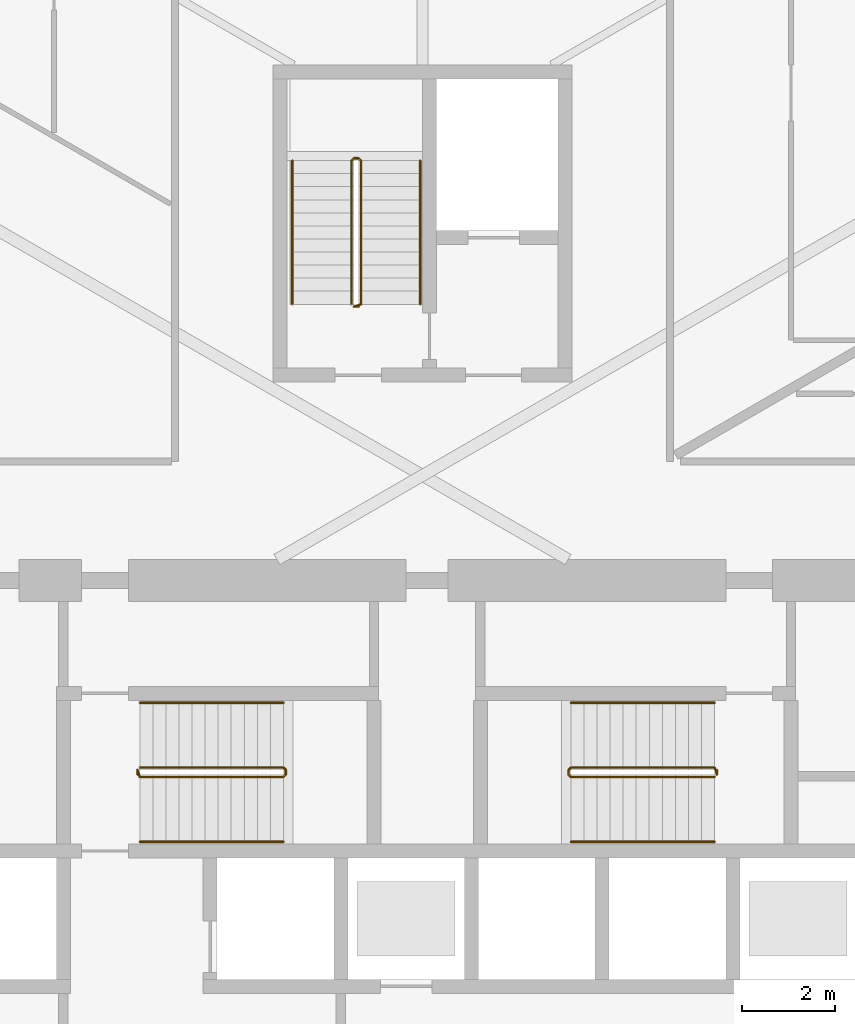
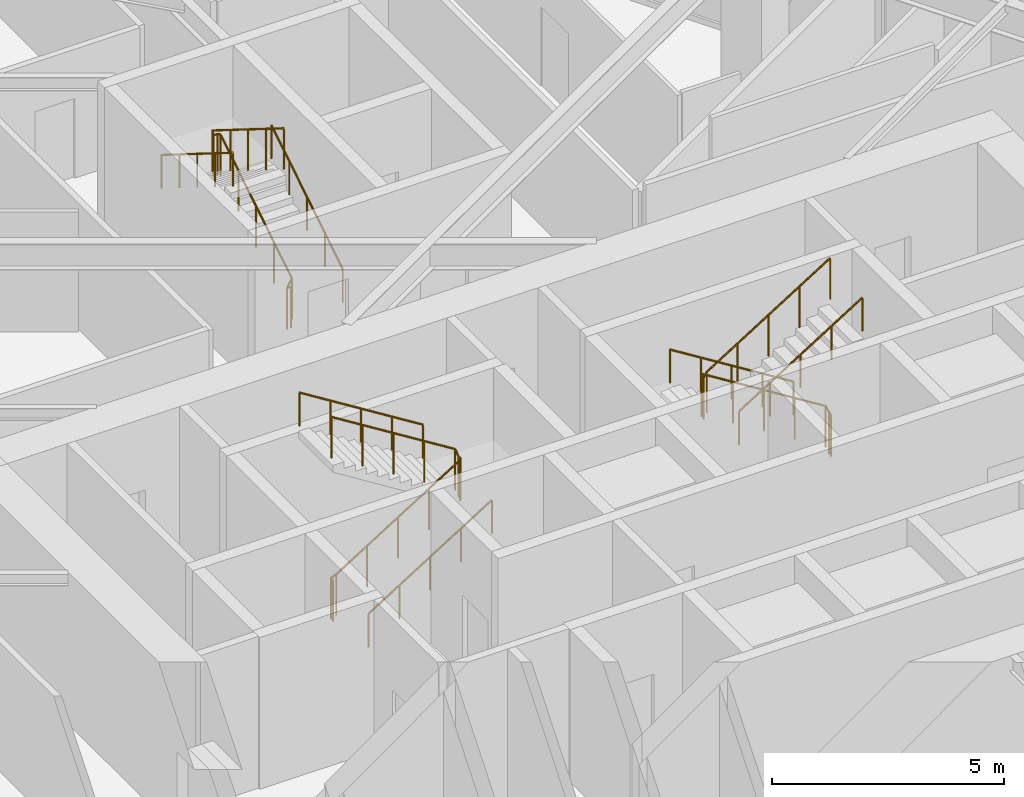
# One storey, part 20 of 21: 9 railings.
"""IFC4 building model written with IfcOpenShell, lengths in metres."""

from ifc_helpers import new_model, si_unit, direction, frame, origin, origin_2d, place, context, subcontext, project, spatial, circle, extrude, material, type_object, element, save


model = new_model("IFC4")

# Units and contexts
model_context = context("Model", 3, precision=1e-05, world=origin(), true_north=direction((0.0, 1.0)))
body_context = subcontext(model_context, "Body", "Model", "MODEL_VIEW")
ifc_project = project(units=[si_unit("LENGTHUNIT", "METRE"), si_unit("AREAUNIT", "SQUARE_METRE"), si_unit("VOLUMEUNIT", "CUBIC_METRE"), si_unit("PLANEANGLEUNIT", "RADIAN"), si_unit("MASSUNIT", "GRAM", prefix="KILO")], contexts=[model_context])

# Site, building, storey
site_placement = place(None, origin())
site = spatial("IfcSite", under=ifc_project, at=site_placement, CompositionType="ELEMENT")
building_placement = place(site_placement, origin())
building = spatial("IfcBuilding", under=site, at=building_placement, Name="Firuza Gate Tower and Library", CompositionType="ELEMENT")
storey_placement = place(building_placement, frame((0.0, 0.0, 107.199951171875)))
storey = spatial("IfcBuildingStorey", under=building, at=storey_placement, Name="L24", CompositionType="ELEMENT", Elevation=107.199951171875)

# Railings
ifc_material_1 = material(Name="Steel S355", Category="steel")
railing_type_1 = type_object("IfcRailingType", Name="Stair guard 1100", PredefinedType="GUARDRAIL", material=ifc_material_1)
railing_1_placement = place(storey_placement, frame((68.889892578125, 79.389892578125, 0.0)))
element("IfcRailing", 1, at=railing_1_placement, inside=storey, type_object=railing_type_1, Name="L24 ST1 stair guard 1", PredefinedType="GUARDRAIL", context=body_context, shape_type="SweptSolid", body=[
    extrude(circle(Radius=0.02392578125, at=origin_2d()), frame((0.0, 0.0, 1.076171875), z_axis=(0.0, 1.0, 0.0), x_axis=(-1.0, 0.0, 0.0)), (0.0, 0.0, 1.0), 0.10009765625),
    extrude(circle(Radius=0.02392578125, at=origin_2d()), frame((0.0, 0.10009765625, 1.076171875), z_axis=(0.21222055169, -0.635626432867, 0.742254319813), x_axis=(0.948528701346, 0.316691178788, 0.0)), (0.0, 0.0, 1.0), 0.23583984375),
    extrude(circle(Radius=0.02392578125, at=origin_2d()), frame((0.050048828125, -0.0498046875, 1.2509765625), z_axis=(0.847998304005, 0.0, 0.529998940003), x_axis=(0.0, 1.0, 0.0)), (0.0, 0.0, 1.0), 3.632080078125),
    extrude(circle(Radius=0.02392578125, at=origin_2d()), frame((3.130126953125, -0.0498046875, 3.17626953125), z_axis=(0.708833529934, 0.705375805398, 0.0), x_axis=(-0.705375805398, 0.708833529934, 0.0)), (0.0, 0.0, 1.0), 0.070556640625),
    extrude(circle(Radius=0.02392578125, at=origin_2d()), frame((3.18017578125, 0.0, 3.17626953125), z_axis=(0.0, 1.0, 0.0), x_axis=(-1.0, 0.0, 0.0)), (0.0, 0.0, 1.0), 0.10009765625),
    extrude(circle(Radius=0.02392578125, at=origin_2d()), frame((3.18017578125, 0.10009765625, 3.17626953125), z_axis=(-0.265065253269, 0.265065253269, 0.927081885822), x_axis=(-0.707106781187, -0.707106781187, 0.0)), (0.0, 0.0, 1.0), 0.188720703125),
    extrude(circle(Radius=0.02392578125, at=origin_2d()), frame((3.130126953125, 0.150146484375, 3.35107421875), z_axis=(-0.848028513186, 0.0, 0.529950602248), x_axis=(0.0, -1.0, 0.0)), (0.0, 0.0, 1.0), 3.632080078125),
    extrude(circle(Radius=0.02099609375, at=origin_2d()), origin(), (0.0, 0.0, 1.0), 1.052001953125),
    extrude(circle(Radius=0.02099609375, at=origin_2d()), frame((0.0, 0.10009765625, 0.0)), (0.0, 0.0, 1.0), 1.052001953125),
    extrude(circle(Radius=0.02099609375, at=origin_2d()), frame((0.050048828125, -0.0498046875, 0.175048828125)), (0.0, 0.0, 1.0), 1.052001953125),
    extrude(circle(Radius=0.02099609375, at=origin_2d()), frame((0.820068359375, -0.0498046875, 0.65625)), (0.0, 0.0, 1.0), 1.052001953125),
    extrude(circle(Radius=0.02099609375, at=origin_2d()), frame((1.590087890625, -0.0498046875, 1.1376953125)), (0.0, 0.0, 1.0), 1.052001953125),
    extrude(circle(Radius=0.02099609375, at=origin_2d()), frame((2.360107421875, -0.0498046875, 1.618896484375)), (0.0, 0.0, 1.0), 1.052001953125),
    extrude(circle(Radius=0.02099609375, at=origin_2d()), frame((3.130126953125, -0.0498046875, 2.10009765625)), (0.0, 0.0, 1.0), 1.052001953125),
    extrude(circle(Radius=0.02099609375, at=origin_2d()), frame((3.18017578125, 0.0, 2.10009765625)), (0.0, 0.0, 1.0), 1.052001953125),
    extrude(circle(Radius=0.02099609375, at=origin_2d()), frame((3.18017578125, 0.10009765625, 2.10009765625)), (0.0, 0.0, 1.0), 1.052001953125),
    extrude(circle(Radius=0.02099609375, at=origin_2d()), frame((3.130126953125, 0.150146484375, 2.275146484375)), (0.0, 0.0, 1.0), 1.052001953125),
    extrude(circle(Radius=0.02099609375, at=origin_2d()), frame((2.360107421875, 0.150146484375, 2.75634765625)), (0.0, 0.0, 1.0), 1.052001953125),
    extrude(circle(Radius=0.02099609375, at=origin_2d()), frame((1.590087890625, 0.150146484375, 3.237548828125)), (0.0, 0.0, 1.0), 1.052001953125),
    extrude(circle(Radius=0.02099609375, at=origin_2d()), frame((0.820068359375, 0.150146484375, 3.71875)), (0.0, 0.0, 1.0), 1.052001953125),
    extrude(circle(Radius=0.02099609375, at=origin_2d()), frame((0.050048828125, 0.150146484375, 4.199951171875)), (0.0, 0.0, 1.0), 1.052001953125),
])
railing_2_placement = place(storey_placement, frame((81.31005859375, 79.489990234375, 0.0)))
element("IfcRailing", 2, at=railing_2_placement, inside=storey, type_object=railing_type_1, Name="L24 ST2 stair guard 1", PredefinedType="GUARDRAIL", context=body_context, shape_type="SweptSolid", body=[
    extrude(circle(Radius=0.02392578125, at=origin_2d()), frame((0.0, 0.0, 1.076171875), z_axis=(0.0, -1.0, 0.0), x_axis=(1.0, 0.0, 0.0)), (0.0, 0.0, 1.0), 0.10009765625),
    extrude(circle(Radius=0.02392578125, at=origin_2d()), frame((0.0, -0.10009765625, 1.076171875), z_axis=(-0.212080931658, 0.636242794973, 0.741765990237), x_axis=(-0.948683298051, -0.316227766017, 0.0)), (0.0, 0.0, 1.0), 0.236083984375),
    extrude(circle(Radius=0.02392578125, at=origin_2d()), frame((-0.050048828125, 0.050048828125, 1.2509765625), z_axis=(-0.847998304005, 0.0, 0.529998940003), x_axis=(0.0, -1.0, 0.0)), (0.0, 0.0, 1.0), 3.632080078125),
    extrude(circle(Radius=0.02392578125, at=origin_2d()), frame((-3.130126953125, 0.050048828125, 3.17626953125), z_axis=(-0.707106781187, -0.707106781187, 0.0), x_axis=(0.707106781187, -0.707106781187, 0.0)), (0.0, 0.0, 1.0), 0.07080078125),
    extrude(circle(Radius=0.02392578125, at=origin_2d()), frame((-3.18017578125, 0.0, 3.17626953125), z_axis=(0.0, -1.0, 0.0), x_axis=(1.0, 0.0, 0.0)), (0.0, 0.0, 1.0), 0.10009765625),
    extrude(circle(Radius=0.02392578125, at=origin_2d()), frame((-3.18017578125, -0.10009765625, 3.17626953125), z_axis=(0.265155923931, -0.263862480399, 0.927399011991), x_axis=(0.705375805398, 0.708833529934, 0.0)), (0.0, 0.0, 1.0), 0.188720703125),
    extrude(circle(Radius=0.02392578125, at=origin_2d()), frame((-3.130126953125, -0.14990234375, 3.35107421875), z_axis=(0.848028513186, 0.0, 0.529950602248), x_axis=(0.0, 1.0, 0.0)), (0.0, 0.0, 1.0), 3.632080078125),
    extrude(circle(Radius=0.02099609375, at=origin_2d()), origin(), (0.0, 0.0, 1.0), 1.052001953125),
    extrude(circle(Radius=0.02099609375, at=origin_2d()), frame((0.0, -0.10009765625, 0.0)), (0.0, 0.0, 1.0), 1.052001953125),
    extrude(circle(Radius=0.02099609375, at=origin_2d()), frame((-0.050048828125, 0.050048828125, 0.175048828125)), (0.0, 0.0, 1.0), 1.052001953125),
    extrude(circle(Radius=0.02099609375, at=origin_2d()), frame((-0.820068359375, 0.050048828125, 0.65625)), (0.0, 0.0, 1.0), 1.052001953125),
    extrude(circle(Radius=0.02099609375, at=origin_2d()), frame((-1.590087890625, 0.050048828125, 1.1376953125)), (0.0, 0.0, 1.0), 1.052001953125),
    extrude(circle(Radius=0.02099609375, at=origin_2d()), frame((-2.360107421875, 0.050048828125, 1.618896484375)), (0.0, 0.0, 1.0), 1.052001953125),
    extrude(circle(Radius=0.02099609375, at=origin_2d()), frame((-3.130126953125, 0.050048828125, 2.10009765625)), (0.0, 0.0, 1.0), 1.052001953125),
    extrude(circle(Radius=0.02099609375, at=origin_2d()), frame((-3.18017578125, 0.0, 2.10009765625)), (0.0, 0.0, 1.0), 1.052001953125),
    extrude(circle(Radius=0.02099609375, at=origin_2d()), frame((-3.18017578125, -0.10009765625, 2.10009765625)), (0.0, 0.0, 1.0), 1.052001953125),
    extrude(circle(Radius=0.02099609375, at=origin_2d()), frame((-3.130126953125, -0.14990234375, 2.275146484375)), (0.0, 0.0, 1.0), 1.052001953125),
    extrude(circle(Radius=0.02099609375, at=origin_2d()), frame((-2.360107421875, -0.14990234375, 2.75634765625)), (0.0, 0.0, 1.0), 1.052001953125),
    extrude(circle(Radius=0.02099609375, at=origin_2d()), frame((-1.590087890625, -0.14990234375, 3.237548828125)), (0.0, 0.0, 1.0), 1.052001953125),
    extrude(circle(Radius=0.02099609375, at=origin_2d()), frame((-0.820068359375, -0.14990234375, 3.71875)), (0.0, 0.0, 1.0), 1.052001953125),
    extrude(circle(Radius=0.02099609375, at=origin_2d()), frame((-0.050048828125, -0.14990234375, 4.199951171875)), (0.0, 0.0, 1.0), 1.052001953125),
])
railing_3_placement = place(storey_placement, frame((73.6298828125, 89.419921875, 0.0)))
element("IfcRailing", 3, at=railing_3_placement, inside=storey, type_object=railing_type_1, Name="L24 ST3 stair guard 1", PredefinedType="GUARDRAIL", context=body_context, shape_type="SweptSolid", body=[
    extrude(circle(Radius=0.02392578125, at=origin_2d()), frame((0.0, 0.0, 1.076171875), z_axis=(-1.0, 0.0, 0.0), x_axis=(0.0, -1.0, 0.0)), (0.0, 0.0, 1.0), 0.099853515625),
    extrude(circle(Radius=0.02392578125, at=origin_2d()), frame((-0.099853515625, 0.0, 1.076171875), z_axis=(0.635626432867, 0.21222055169, 0.742254319813), x_axis=(-0.316691178788, 0.948528701346, 0.0)), (0.0, 0.0, 1.0), 0.23583984375),
    extrude(circle(Radius=0.02392578125, at=origin_2d()), frame((0.050048828125, 0.050048828125, 1.2509765625), z_axis=(0.0, 0.847998304005, 0.529998940003), x_axis=(-1.0, 0.0, 0.0)), (0.0, 0.0, 1.0), 3.632080078125),
    extrude(circle(Radius=0.02392578125, at=origin_2d()), frame((0.050048828125, 3.130126953125, 3.17626953125), z_axis=(-0.707106781187, 0.707106781187, 0.0), x_axis=(-0.707106781187, -0.707106781187, 0.0)), (0.0, 0.0, 1.0), 0.07080078125),
    extrude(circle(Radius=0.02392578125, at=origin_2d()), frame((0.0, 3.18017578125, 3.17626953125), z_axis=(-1.0, 0.0, 0.0), x_axis=(0.0, -1.0, 0.0)), (0.0, 0.0, 1.0), 0.099853515625),
    extrude(circle(Radius=0.02392578125, at=origin_2d()), frame((-0.099853515625, 3.18017578125, 3.17626953125), z_axis=(-0.265065253269, -0.265065253269, 0.927081885822), x_axis=(0.707106781187, -0.707106781187, 0.0)), (0.0, 0.0, 1.0), 0.188720703125),
    extrude(circle(Radius=0.02392578125, at=origin_2d()), frame((-0.14990234375, 3.130126953125, 3.35107421875), z_axis=(0.0, -0.848028513186, 0.529950602248), x_axis=(1.0, 0.0, 0.0)), (0.0, 0.0, 1.0), 3.632080078125),
    extrude(circle(Radius=0.02099609375, at=origin_2d()), origin(), (0.0, 0.0, 1.0), 1.052001953125),
    extrude(circle(Radius=0.02099609375, at=origin_2d()), frame((-0.099853515625, 0.0, 0.0)), (0.0, 0.0, 1.0), 1.052001953125),
    extrude(circle(Radius=0.02099609375, at=origin_2d()), frame((0.050048828125, 0.050048828125, 0.175048828125)), (0.0, 0.0, 1.0), 1.052001953125),
    extrude(circle(Radius=0.02099609375, at=origin_2d()), frame((0.050048828125, 0.820068359375, 0.65625)), (0.0, 0.0, 1.0), 1.052001953125),
    extrude(circle(Radius=0.02099609375, at=origin_2d()), frame((0.050048828125, 1.590087890625, 1.1376953125)), (0.0, 0.0, 1.0), 1.052001953125),
    extrude(circle(Radius=0.02099609375, at=origin_2d()), frame((0.050048828125, 2.360107421875, 1.618896484375)), (0.0, 0.0, 1.0), 1.052001953125),
    extrude(circle(Radius=0.02099609375, at=origin_2d()), frame((0.050048828125, 3.130126953125, 2.10009765625)), (0.0, 0.0, 1.0), 1.052001953125),
    extrude(circle(Radius=0.02099609375, at=origin_2d()), frame((0.0, 3.18017578125, 2.10009765625)), (0.0, 0.0, 1.0), 1.052001953125),
    extrude(circle(Radius=0.02099609375, at=origin_2d()), frame((-0.099853515625, 3.18017578125, 2.10009765625)), (0.0, 0.0, 1.0), 1.052001953125),
    extrude(circle(Radius=0.02099609375, at=origin_2d()), frame((-0.14990234375, 3.130126953125, 2.275146484375)), (0.0, 0.0, 1.0), 1.052001953125),
    extrude(circle(Radius=0.02099609375, at=origin_2d()), frame((-0.14990234375, 2.360107421875, 2.75634765625)), (0.0, 0.0, 1.0), 1.052001953125),
    extrude(circle(Radius=0.02099609375, at=origin_2d()), frame((-0.14990234375, 1.590087890625, 3.237548828125)), (0.0, 0.0, 1.0), 1.052001953125),
    extrude(circle(Radius=0.02099609375, at=origin_2d()), frame((-0.14990234375, 0.820068359375, 3.71875)), (0.0, 0.0, 1.0), 1.052001953125),
    extrude(circle(Radius=0.02099609375, at=origin_2d()), frame((-0.14990234375, 0.050048828125, 4.199951171875)), (0.0, 0.0, 1.0), 1.052001953125),
])
ifc_material_2 = material(Name="Steel S355", Category="steel")
railing_type_2 = type_object("IfcRailingType", Name="Stair handrail 900", PredefinedType="HANDRAIL", material=ifc_material_2)
railing_4_placement = place(storey_placement, frame((68.93994140625, 77.949951171875, 0.175048828125)))
element("IfcRailing", 4, at=railing_4_placement, inside=storey, type_object=railing_type_2, Name="L24 ST1 stair handrail 1", PredefinedType="HANDRAIL", context=body_context, shape_type="SweptSolid", body=[
    extrude(circle(Radius=0.02392578125, at=origin_2d()), frame((0.0, 0.0, 0.8759765625), z_axis=(0.847998304005, 0.0, 0.529998940003), x_axis=(0.0, 1.0, 0.0)), (0.0, 0.0, 1.0), 3.632080078125),
    extrude(circle(Radius=0.02099609375, at=origin_2d()), origin(), (0.0, 0.0, 1.0), 0.851806640625),
    extrude(circle(Radius=0.02099609375, at=origin_2d()), frame((0.77001953125, 0.0, 0.481201171875)), (0.0, 0.0, 1.0), 0.851806640625),
    extrude(circle(Radius=0.02099609375, at=origin_2d()), frame((1.5400390625, 0.0, 0.96240234375)), (0.0, 0.0, 1.0), 0.851806640625),
    extrude(circle(Radius=0.02099609375, at=origin_2d()), frame((2.31005859375, 0.0, 1.44384765625)), (0.0, 0.0, 1.0), 0.851806640625),
    extrude(circle(Radius=0.02099609375, at=origin_2d()), frame((3.080078125, 0.0, 1.925048828125)), (0.0, 0.0, 1.0), 0.851806640625),
])
railing_5_placement = place(storey_placement, frame((72.02001953125, 80.929931640625, 2.275146484375)))
element("IfcRailing", 5, at=railing_5_placement, inside=storey, type_object=railing_type_2, Name="L24 ST1 stair handrail 2", PredefinedType="HANDRAIL", context=body_context, shape_type="SweptSolid", body=[
    extrude(circle(Radius=0.02392578125, at=origin_2d()), frame((0.0, 0.0, 0.8759765625), z_axis=(-0.848028513186, 0.0, 0.529950602248), x_axis=(0.0, -1.0, 0.0)), (0.0, 0.0, 1.0), 3.632080078125),
    extrude(circle(Radius=0.02099609375, at=origin_2d()), origin(), (0.0, 0.0, 1.0), 0.851806640625),
    extrude(circle(Radius=0.02099609375, at=origin_2d()), frame((-0.77001953125, 0.0, 0.481201171875)), (0.0, 0.0, 1.0), 0.851806640625),
    extrude(circle(Radius=0.02099609375, at=origin_2d()), frame((-1.5400390625, 0.0, 0.96240234375)), (0.0, 0.0, 1.0), 0.851806640625),
    extrude(circle(Radius=0.02099609375, at=origin_2d()), frame((-2.31005859375, 0.0, 1.443603515625)), (0.0, 0.0, 1.0), 0.851806640625),
    extrude(circle(Radius=0.02099609375, at=origin_2d()), frame((-3.080078125, 0.0, 1.9248046875)), (0.0, 0.0, 1.0), 0.851806640625),
])
railing_6_placement = place(storey_placement, frame((81.260009765625, 80.929931640625, 0.175048828125)))
element("IfcRailing", 6, at=railing_6_placement, inside=storey, type_object=railing_type_2, Name="L24 ST2 stair handrail 1", PredefinedType="HANDRAIL", context=body_context, shape_type="SweptSolid", body=[
    extrude(circle(Radius=0.02392578125, at=origin_2d()), frame((0.0, 0.0, 0.8759765625), z_axis=(-0.847998304005, 0.0, 0.529998940003), x_axis=(0.0, -1.0, 0.0)), (0.0, 0.0, 1.0), 3.632080078125),
    extrude(circle(Radius=0.02099609375, at=origin_2d()), origin(), (0.0, 0.0, 1.0), 0.851806640625),
    extrude(circle(Radius=0.02099609375, at=origin_2d()), frame((-0.77001953125, 0.0, 0.481201171875)), (0.0, 0.0, 1.0), 0.851806640625),
    extrude(circle(Radius=0.02099609375, at=origin_2d()), frame((-1.5400390625, 0.0, 0.96240234375)), (0.0, 0.0, 1.0), 0.851806640625),
    extrude(circle(Radius=0.02099609375, at=origin_2d()), frame((-2.31005859375, 0.0, 1.44384765625)), (0.0, 0.0, 1.0), 0.851806640625),
    extrude(circle(Radius=0.02099609375, at=origin_2d()), frame((-3.080078125, 0.0, 1.925048828125)), (0.0, 0.0, 1.0), 0.851806640625),
])
railing_7_placement = place(storey_placement, frame((78.179931640625, 77.949951171875, 2.275146484375)))
element("IfcRailing", 7, at=railing_7_placement, inside=storey, type_object=railing_type_2, Name="L24 ST2 stair handrail 2", PredefinedType="HANDRAIL", context=body_context, shape_type="SweptSolid", body=[
    extrude(circle(Radius=0.02392578125, at=origin_2d()), frame((0.0, 0.0, 0.8759765625), z_axis=(0.848028513186, 0.0, 0.529950602248), x_axis=(0.0, 1.0, 0.0)), (0.0, 0.0, 1.0), 3.632080078125),
    extrude(circle(Radius=0.02099609375, at=origin_2d()), origin(), (0.0, 0.0, 1.0), 0.851806640625),
    extrude(circle(Radius=0.02099609375, at=origin_2d()), frame((0.77001953125, 0.0, 0.481201171875)), (0.0, 0.0, 1.0), 0.851806640625),
    extrude(circle(Radius=0.02099609375, at=origin_2d()), frame((1.5400390625, 0.0, 0.96240234375)), (0.0, 0.0, 1.0), 0.851806640625),
    extrude(circle(Radius=0.02099609375, at=origin_2d()), frame((2.31005859375, 0.0, 1.443603515625)), (0.0, 0.0, 1.0), 0.851806640625),
    extrude(circle(Radius=0.02099609375, at=origin_2d()), frame((3.080078125, 0.0, 1.9248046875)), (0.0, 0.0, 1.0), 0.851806640625),
])
railing_8_placement = place(storey_placement, frame((74.949951171875, 89.469970703125, 0.175048828125)))
element("IfcRailing", 8, at=railing_8_placement, inside=storey, type_object=railing_type_2, Name="L24 ST3 stair handrail 1", PredefinedType="HANDRAIL", context=body_context, shape_type="SweptSolid", body=[
    extrude(circle(Radius=0.02392578125, at=origin_2d()), frame((0.0, 0.0, 0.8759765625), z_axis=(0.0, 0.847998304005, 0.529998940003), x_axis=(-1.0, 0.0, 0.0)), (0.0, 0.0, 1.0), 3.632080078125),
    extrude(circle(Radius=0.02099609375, at=origin_2d()), origin(), (0.0, 0.0, 1.0), 0.851806640625),
    extrude(circle(Radius=0.02099609375, at=origin_2d()), frame((0.0, 0.77001953125, 0.481201171875)), (0.0, 0.0, 1.0), 0.851806640625),
    extrude(circle(Radius=0.02099609375, at=origin_2d()), frame((0.0, 1.5400390625, 0.96240234375)), (0.0, 0.0, 1.0), 0.851806640625),
    extrude(circle(Radius=0.02099609375, at=origin_2d()), frame((0.0, 2.31005859375, 1.44384765625)), (0.0, 0.0, 1.0), 0.851806640625),
    extrude(circle(Radius=0.02099609375, at=origin_2d()), frame((0.0, 3.080078125, 1.925048828125)), (0.0, 0.0, 1.0), 0.851806640625),
])
railing_9_placement = place(storey_placement, frame((72.2099609375, 92.550048828125, 2.275146484375)))
element("IfcRailing", 9, at=railing_9_placement, inside=storey, type_object=railing_type_2, Name="L24 ST3 stair handrail 2", PredefinedType="HANDRAIL", context=body_context, shape_type="SweptSolid", body=[
    extrude(circle(Radius=0.02392578125, at=origin_2d()), frame((0.0, 0.0, 0.8759765625), z_axis=(0.0, -0.848028513186, 0.529950602248), x_axis=(1.0, 0.0, 0.0)), (0.0, 0.0, 1.0), 3.632080078125),
    extrude(circle(Radius=0.02099609375, at=origin_2d()), origin(), (0.0, 0.0, 1.0), 0.851806640625),
    extrude(circle(Radius=0.02099609375, at=origin_2d()), frame((0.0, -0.77001953125, 0.481201171875)), (0.0, 0.0, 1.0), 0.851806640625),
    extrude(circle(Radius=0.02099609375, at=origin_2d()), frame((0.0, -1.5400390625, 0.96240234375)), (0.0, 0.0, 1.0), 0.851806640625),
    extrude(circle(Radius=0.02099609375, at=origin_2d()), frame((0.0, -2.31005859375, 1.443603515625)), (0.0, 0.0, 1.0), 0.851806640625),
    extrude(circle(Radius=0.02099609375, at=origin_2d()), frame((0.0, -3.080078125, 1.9248046875)), (0.0, 0.0, 1.0), 0.851806640625),
])

save(model, "model.ifc")
